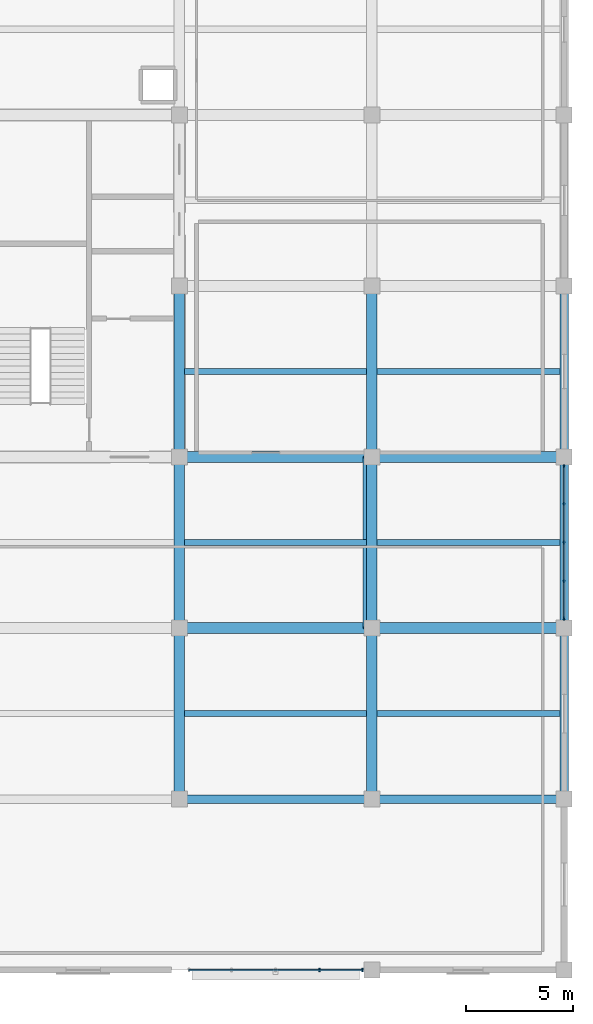
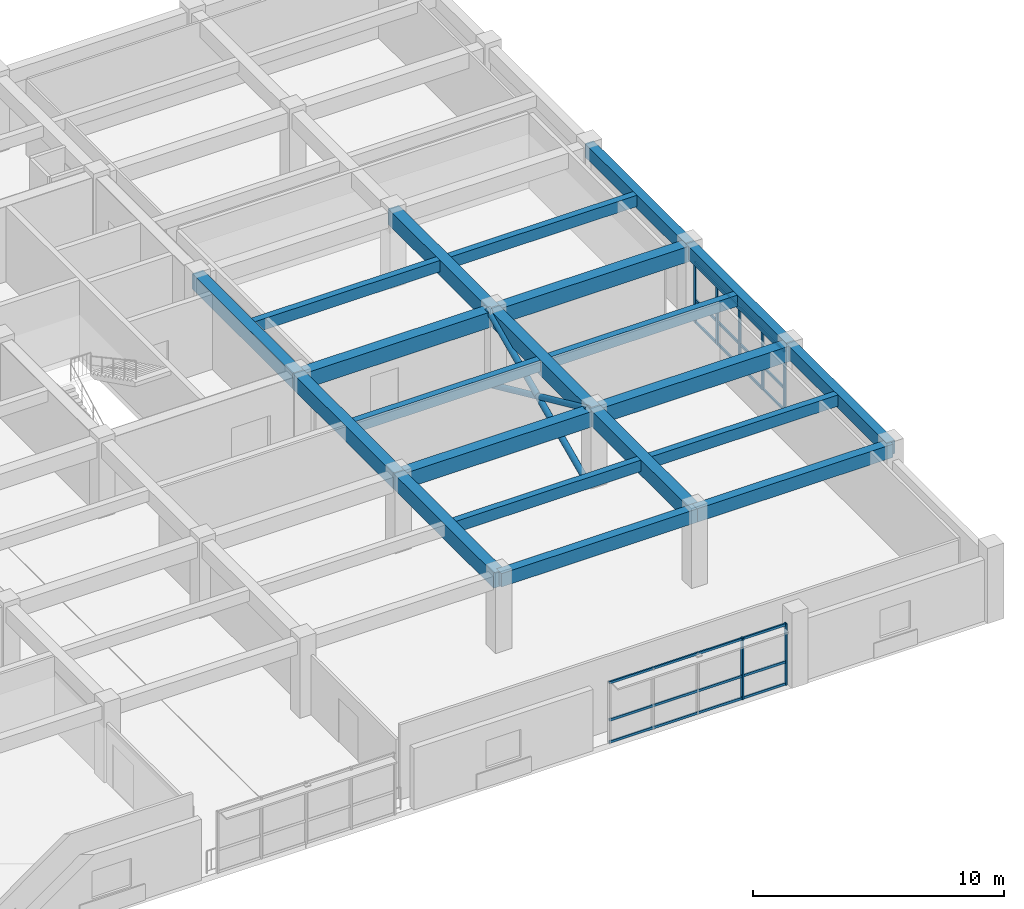
# One storey, part 6 of 15: 21 beams, 15 members, 2 elements without a shape of their own.
"""IFC4 building model written with IfcOpenShell, lengths in metres."""

from ifc_helpers import new_model, si_unit, direction, frame, origin, origin_2d, place, context, subcontext, project, spatial, rectangle, hollow_circle, extrude, material, material_profile, profile_set, type_object, element, aggregate, save


model = new_model("IFC4")

# Units and contexts
model_context = context("Model", 3, precision=1e-05, world=origin(), true_north=direction((0.0, 1.0)))
body_context = subcontext(model_context, "Body", "Model", "MODEL_VIEW")
ifc_project = project(units=[si_unit("LENGTHUNIT", "METRE"), si_unit("AREAUNIT", "SQUARE_METRE"), si_unit("VOLUMEUNIT", "CUBIC_METRE"), si_unit("PLANEANGLEUNIT", "RADIAN"), si_unit("MASSUNIT", "GRAM", prefix="KILO")], contexts=[model_context])

# Site, building, storey
site_placement = place(None, origin())
site = spatial("IfcSite", under=ifc_project, at=site_placement, CompositionType="ELEMENT")
building_placement = place(site_placement, origin())
building = spatial("IfcBuilding", under=site, at=building_placement, Name="Zaverband Oceanarium and Marine Research Institute", CompositionType="ELEMENT")
storey_placement = place(building_placement, frame((0.0, 0.0, 53.10009765625)))
storey = spatial("IfcBuildingStorey", under=building, at=storey_placement, Name="L13", CompositionType="ELEMENT", Elevation=53.10009765625)

# Beams
ifc_material_1 = material(Name="Concrete C40/50", Category="concrete")
ifc_material_profile_1 = material_profile(ifc_material_1, rectangle(XDim=0.5, YDim=0.75, at=origin_2d()), Name="RC500x750")
ifc_profile_set_1 = profile_set([ifc_material_profile_1], Name="Concrete C40/50")
beam_type_1 = type_object("IfcBeamType", Name="BM-500x750", PredefinedType="BEAM", material=ifc_profile_set_1)
for number, where, z_axis, x_axis, name in (
    (1, (45.0, 80.0, 3.27490234375), (1.0, 0.0, 0.0), (0.0, 1.0, 0.0), "Primary floor girder BM-500x750"),
    (2, (54.0, 80.0, 3.27490234375), (1.0, 0.0, 0.0), (0.0, 1.0, 0.0), "Primary floor girder BM-500x750"),
    (3, (45.0, 88.0, 3.27490234375), (1.0, 0.0, 0.0), (0.0, 1.0, 0.0), "Primary floor girder BM-500x750"),
    (4, (54.0, 88.0, 3.27490234375), (1.0, 0.0, 0.0), (0.0, 1.0, 0.0), "Primary floor girder BM-500x750"),
):
    element("IfcBeam", number, at=place(storey_placement, frame(where, z_axis=z_axis, x_axis=x_axis)), inside=storey, type_object=beam_type_1, Name=name, PredefinedType="BEAM", context=body_context, shape_type="SweptSolid", body=[
        extrude(rectangle(XDim=0.5, YDim=0.75, at=origin_2d()), origin(), (0.0, 0.0, 1.0), 9.0),
    ])
for number, where, z_axis, x_axis, name in (
    (5, (45.0, 72.0, 3.27490234375), (0.0, 1.0, 0.0), (-1.0, 0.0, 0.0), "Primary floor girder BM-500x750"),
    (6, (45.0, 80.0, 3.27490234375), (0.0, 1.0, 0.0), (-1.0, 0.0, 0.0), "Primary floor girder BM-500x750"),
    (7, (45.0, 88.0, 3.27490234375), (0.0, 1.0, 0.0), (-1.0, 0.0, 0.0), "Primary floor girder BM-500x750"),
    (8, (54.0, 72.0, 3.27490234375), (0.0, 1.0, 0.0), (-1.0, 0.0, 0.0), "Primary floor girder BM-500x750"),
    (9, (54.0, 80.0, 3.27490234375), (0.0, 1.0, 0.0), (-1.0, 0.0, 0.0), "Primary floor girder BM-500x750"),
    (10, (54.0, 88.0, 3.27490234375), (0.0, 1.0, 0.0), (-1.0, 0.0, 0.0), "Primary floor girder BM-500x750"),
):
    element("IfcBeam", number, at=place(storey_placement, frame(where, z_axis=z_axis, x_axis=x_axis)), inside=storey, type_object=beam_type_1, Name=name, PredefinedType="BEAM", context=body_context, shape_type="SweptSolid", body=[
        extrude(rectangle(XDim=0.5, YDim=0.75, at=origin_2d()), origin(), (0.0, 0.0, 1.0), 8.0),
    ])

# Members
ifc_material_2 = material(Name="Steel S355", Category="steel")
ifc_material_profile_2 = material_profile(ifc_material_2, hollow_circle(Radius=0.136474609375, WallThickness=0.010009765625, at=origin_2d()), Name="CHS273x10")
ifc_profile_set_2 = profile_set([ifc_material_profile_2], Name="Steel S355")
member_type_1 = type_object("IfcMemberType", Name="BR-01", PredefinedType="BRACE", material=ifc_profile_set_2)
for number, where, z_axis, x_axis, name in (
    (11, (53.719970703125, 80.0, 0.0), (0.0, 0.909785572369, 0.415078561612), (-1.0, 0.0, 0.0), "Diagonal lateral brace BR-01"),
    (12, (53.719970703125, 88.0, 0.0), (0.0, -0.909785572369, 0.415078561612), (1.0, 0.0, 0.0), "Diagonal lateral brace BR-01"),
):
    element("IfcMember", number, at=place(storey_placement, frame(where, z_axis=z_axis, x_axis=x_axis)), inside=storey, type_object=member_type_1, Name=name, PredefinedType="BRACE", context=body_context, shape_type="SweptSolid", body=[
        extrude(hollow_circle(Radius=0.136474609375, WallThickness=0.010009765625, at=origin_2d()), origin(), (0.0, 0.0, 1.0), 8.793212890625),
    ])

# Beams
ifc_material_profile_3 = material_profile(ifc_material_1, rectangle(XDim=0.300048828125, YDim=0.550048828125, at=origin_2d()), Name="RC300x550")
ifc_profile_set_3 = profile_set([ifc_material_profile_3], Name="Concrete C40/50")
beam_type_2 = type_object("IfcBeamType", Name="JST-300x550", PredefinedType="JOIST", material=ifc_profile_set_3)
for number, where, z_axis, x_axis, name in (
    (13, (45.25, 76.0, 3.375), (1.0, 0.0, 0.0), (0.0, 1.0, 0.0), "Secondary floor joist JST-300x550"),
    (14, (45.25, 84.0, 3.375), (1.0, 0.0, 0.0), (0.0, 1.0, 0.0), "Secondary floor joist JST-300x550"),
    (15, (45.25, 92.0, 3.375), (1.0, 0.0, 0.0), (0.0, 1.0, 0.0), "Secondary floor joist JST-300x550"),
):
    element("IfcBeam", number, at=place(storey_placement, frame(where, z_axis=z_axis, x_axis=x_axis)), inside=storey, type_object=beam_type_2, Name=name, PredefinedType="JOIST", context=body_context, shape_type="SweptSolid", body=[
        extrude(rectangle(XDim=0.300048828125, YDim=0.550048828125, at=origin_2d()), origin(), (0.0, 0.0, 1.0), 8.5),
    ])
for number, where, z_axis, x_axis, name in (
    (16, (54.25, 76.0, 3.375), (1.0, 0.0, 0.0), (0.0, 1.0, 0.0), "Secondary floor joist JST-300x550"),
    (17, (54.25, 84.0, 3.375), (1.0, 0.0, 0.0), (0.0, 1.0, 0.0), "Secondary floor joist JST-300x550"),
    (18, (54.25, 92.0, 3.375), (1.0, 0.0, 0.0), (0.0, 1.0, 0.0), "Secondary floor joist JST-300x550"),
):
    element("IfcBeam", number, at=place(storey_placement, frame(where, z_axis=z_axis, x_axis=x_axis)), inside=storey, type_object=beam_type_2, Name=name, PredefinedType="JOIST", context=body_context, shape_type="SweptSolid", body=[
        extrude(rectangle(XDim=0.300048828125, YDim=0.550048828125, at=origin_2d()), origin(), (0.0, 0.0, 1.0), 8.550048828125),
    ])

# Curtain wall, members
ifc_material_3 = material(Name="Thermally broken anodized aluminium and solar-control glass", Category="aluminium")
curtain_wall_type = type_object("IfcCurtainWallType", Name="CW-UNIT-1800", PredefinedType="NOTDEFINED", material=ifc_material_3)
curtain_wall_1_placement = place(storey_placement, origin())
curtain_wall_1 = element("IfcCurtainWall", 19, at=curtain_wall_1_placement, inside=storey, type_object=curtain_wall_type, Name="Unitised glazed curtain wall CW-141", PredefinedType="NOTDEFINED")
ifc_material_4 = material(Name="Thermally broken anodized aluminium", Category="aluminium")
ifc_material_profile_4 = material_profile(ifc_material_4, rectangle(XDim=0.070068359375, YDim=0.14990234375, at=origin_2d()), Name="AL-MUL-70x150")
ifc_profile_set_4 = profile_set([ifc_material_profile_4], Name="Thermally broken anodized aluminium")
member_type_2 = type_object("IfcMemberType", Name="MUL-70x150", PredefinedType="MULLION", material=ifc_profile_set_4)
member_1_placement = place(storey_placement, frame((51.56005859375, 64.0, 0.0), z_axis=(0.0, 0.0, 1.0), x_axis=(1.0, 0.0, 0.0)))
member_1 = element("IfcMember", 20, at=member_1_placement, type_object=member_type_2, Name="Curtain wall vertical mullion MUL-70x150", PredefinedType="MULLION", context=body_context, shape_type="SweptSolid", body=[
    extrude(rectangle(XDim=0.070068359375, YDim=0.14990234375, at=origin_2d()), origin(), (0.0, 0.0, 1.0), 2.97998046875),
])
member_2_placement = place(storey_placement, frame((53.56005859375, 64.0, 0.0), z_axis=(0.0, 0.0, 1.0), x_axis=(1.0, 0.0, 0.0)))
member_2 = element("IfcMember", 21, at=member_2_placement, type_object=member_type_2, Name="Curtain wall vertical mullion MUL-70x150", PredefinedType="MULLION", context=body_context, shape_type="SweptSolid", body=[
    extrude(rectangle(XDim=0.070068359375, YDim=0.14990234375, at=origin_2d()), origin(), (0.0, 0.0, 1.0), 2.97998046875),
])

curtain_wall_2_placement = place(storey_placement, origin())
curtain_wall_2 = element("IfcCurtainWall", 22, at=curtain_wall_2_placement, inside=storey, type_object=curtain_wall_type, Name="Unitised glazed curtain wall CW-147", PredefinedType="NOTDEFINED")
member_3_placement = place(storey_placement, frame((63.0, 80.43994140625, 0.0), z_axis=(0.0, 0.0, 1.0), x_axis=(1.0, 0.0, 0.0)))
member_3 = element("IfcMember", 23, at=member_3_placement, type_object=member_type_2, Name="Curtain wall vertical mullion MUL-70x150", PredefinedType="MULLION", context=body_context, shape_type="SweptSolid", body=[
    extrude(rectangle(XDim=0.070068359375, YDim=0.14990234375, at=origin_2d()), origin(), (0.0, 0.0, 1.0), 2.97998046875),
])
member_4_placement = place(storey_placement, frame((63.0, 82.18994140625, 0.0), z_axis=(0.0, 0.0, 1.0), x_axis=(1.0, 0.0, 0.0)))
member_4 = element("IfcMember", 24, at=member_4_placement, type_object=member_type_2, Name="Curtain wall vertical mullion MUL-70x150", PredefinedType="MULLION", context=body_context, shape_type="SweptSolid", body=[
    extrude(rectangle(XDim=0.070068359375, YDim=0.14990234375, at=origin_2d()), origin(), (0.0, 0.0, 1.0), 2.97998046875),
])
member_5_placement = place(storey_placement, frame((63.0, 84.0, 0.0), z_axis=(0.0, 0.0, 1.0), x_axis=(1.0, 0.0, 0.0)))
member_5 = element("IfcMember", 25, at=member_5_placement, type_object=member_type_2, Name="Curtain wall vertical mullion MUL-70x150", PredefinedType="MULLION", context=body_context, shape_type="SweptSolid", body=[
    extrude(rectangle(XDim=0.070068359375, YDim=0.14990234375, at=origin_2d()), origin(), (0.0, 0.0, 1.0), 2.97998046875),
])
member_6_placement = place(storey_placement, frame((63.0, 85.81005859375, 0.0), z_axis=(0.0, 0.0, 1.0), x_axis=(1.0, 0.0, 0.0)))
member_6 = element("IfcMember", 26, at=member_6_placement, type_object=member_type_2, Name="Curtain wall vertical mullion MUL-70x150", PredefinedType="MULLION", context=body_context, shape_type="SweptSolid", body=[
    extrude(rectangle(XDim=0.070068359375, YDim=0.14990234375, at=origin_2d()), origin(), (0.0, 0.0, 1.0), 2.97998046875),
])
member_7_placement = place(storey_placement, frame((63.0, 87.56005859375, 0.0), z_axis=(0.0, 0.0, 1.0), x_axis=(1.0, 0.0, 0.0)))
member_7 = element("IfcMember", 27, at=member_7_placement, type_object=member_type_2, Name="Curtain wall vertical mullion MUL-70x150", PredefinedType="MULLION", context=body_context, shape_type="SweptSolid", body=[
    extrude(rectangle(XDim=0.070068359375, YDim=0.14990234375, at=origin_2d()), origin(), (0.0, 0.0, 1.0), 2.97998046875),
])

# Beams
ifc_material_profile_5 = material_profile(ifc_material_1, rectangle(XDim=0.39990234375, YDim=0.64990234375, at=origin_2d()), Name="RC400x650")
ifc_profile_set_5 = profile_set([ifc_material_profile_5], Name="Concrete C40/50")
beam_type_3 = type_object("IfcBeamType", Name="SPN-400x650", PredefinedType="SPANDREL", material=ifc_profile_set_5)
for number, where, z_axis, x_axis, name in (
    (28, (45.0, 72.0, 3.324951171875), (1.0, 0.0, 0.0), (0.0, 1.0, 0.0), "Perimeter spandrel beam SPN-400x650"),
    (29, (54.0, 72.0, 3.324951171875), (1.0, 0.0, 0.0), (0.0, 1.0, 0.0), "Perimeter spandrel beam SPN-400x650"),
):
    element("IfcBeam", number, at=place(storey_placement, frame(where, z_axis=z_axis, x_axis=x_axis)), inside=storey, type_object=beam_type_3, Name=name, PredefinedType="SPANDREL", context=body_context, shape_type="SweptSolid", body=[
        extrude(rectangle(XDim=0.39990234375, YDim=0.64990234375, at=origin_2d()), origin(), (0.0, 0.0, 1.0), 9.0),
    ])
for number, where, z_axis, x_axis, name in (
    (30, (63.0, 72.0, 3.324951171875), (0.0, 1.0, 0.0), (-1.0, 0.0, 0.0), "Perimeter spandrel beam SPN-400x650"),
    (31, (63.0, 80.0, 3.324951171875), (0.0, 1.0, 0.0), (-1.0, 0.0, 0.0), "Perimeter spandrel beam SPN-400x650"),
    (32, (63.0, 88.0, 3.324951171875), (0.0, 1.0, 0.0), (-1.0, 0.0, 0.0), "Perimeter spandrel beam SPN-400x650"),
):
    element("IfcBeam", number, at=place(storey_placement, frame(where, z_axis=z_axis, x_axis=x_axis)), inside=storey, type_object=beam_type_3, Name=name, PredefinedType="SPANDREL", context=body_context, shape_type="SweptSolid", body=[
        extrude(rectangle(XDim=0.39990234375, YDim=0.64990234375, at=origin_2d()), origin(), (0.0, 0.0, 1.0), 8.0),
    ])

# Member
ifc_material_profile_6 = material_profile(ifc_material_4, rectangle(XDim=0.070068359375, YDim=0.114990234375, at=origin_2d()), Name="AL-TRN-70x115")
ifc_profile_set_6 = profile_set([ifc_material_profile_6], Name="Thermally broken anodized aluminium")
member_type_3 = type_object("IfcMemberType", Name="TRN-70x115", PredefinedType="USERDEFINED", material=ifc_profile_set_6)
member_8_placement = place(storey_placement, frame((45.43994140625, 64.0, 0.0498046875), z_axis=(1.0, 0.0, 0.0), x_axis=(0.0, 1.0, 0.0)))
member_8 = element("IfcMember", 33, at=member_8_placement, type_object=member_type_3, Name="Curtain wall horizontal transom TRN-70x115", ObjectType="TRANSOM", PredefinedType="USERDEFINED", context=body_context, shape_type="SweptSolid", body=[
    extrude(rectangle(XDim=0.070068359375, YDim=0.114990234375, at=origin_2d()), origin(), (0.0, 0.0, 1.0), 8.1201171875),
])

member_9_placement = place(storey_placement, frame((45.43994140625, 64.0, 1.122802734375), z_axis=(1.0, 0.0, 0.0), x_axis=(0.0, 1.0, 0.0)))
member_9 = element("IfcMember", 34, at=member_9_placement, type_object=member_type_3, Name="Curtain wall horizontal transom TRN-70x115", ObjectType="TRANSOM", PredefinedType="USERDEFINED", context=body_context, shape_type="SweptSolid", body=[
    extrude(rectangle(XDim=0.070068359375, YDim=0.114990234375, at=origin_2d()), origin(), (0.0, 0.0, 1.0), 8.1201171875),
])

member_10_placement = place(storey_placement, frame((45.43994140625, 64.0, 2.929931640625), z_axis=(1.0, 0.0, 0.0), x_axis=(0.0, 1.0, 0.0)))
member_10 = element("IfcMember", 35, at=member_10_placement, type_object=member_type_3, Name="Curtain wall horizontal transom TRN-70x115", ObjectType="TRANSOM", PredefinedType="USERDEFINED", context=body_context, shape_type="SweptSolid", body=[
    extrude(rectangle(XDim=0.070068359375, YDim=0.114990234375, at=origin_2d()), origin(), (0.0, 0.0, 1.0), 8.1201171875),
])

aggregate(curtain_wall_1, [member_1, member_2, member_8, member_9, member_10])

member_11_placement = place(storey_placement, frame((63.0, 80.43994140625, 0.0498046875), z_axis=(0.0, 1.0, 0.0), x_axis=(-1.0, 0.0, 0.0)))
member_11 = element("IfcMember", 36, at=member_11_placement, type_object=member_type_3, Name="Curtain wall horizontal transom TRN-70x115", ObjectType="TRANSOM", PredefinedType="USERDEFINED", context=body_context, shape_type="SweptSolid", body=[
    extrude(rectangle(XDim=0.070068359375, YDim=0.114990234375, at=origin_2d()), origin(), (0.0, 0.0, 1.0), 7.1201171875),
])

member_12_placement = place(storey_placement, frame((63.0, 80.43994140625, 1.122802734375), z_axis=(0.0, 1.0, 0.0), x_axis=(-1.0, 0.0, 0.0)))
member_12 = element("IfcMember", 37, at=member_12_placement, type_object=member_type_3, Name="Curtain wall horizontal transom TRN-70x115", ObjectType="TRANSOM", PredefinedType="USERDEFINED", context=body_context, shape_type="SweptSolid", body=[
    extrude(rectangle(XDim=0.070068359375, YDim=0.114990234375, at=origin_2d()), origin(), (0.0, 0.0, 1.0), 7.1201171875),
])

member_13_placement = place(storey_placement, frame((63.0, 80.43994140625, 2.929931640625), z_axis=(0.0, 1.0, 0.0), x_axis=(-1.0, 0.0, 0.0)))
member_13 = element("IfcMember", 38, at=member_13_placement, type_object=member_type_3, Name="Curtain wall horizontal transom TRN-70x115", ObjectType="TRANSOM", PredefinedType="USERDEFINED", context=body_context, shape_type="SweptSolid", body=[
    extrude(rectangle(XDim=0.070068359375, YDim=0.114990234375, at=origin_2d()), origin(), (0.0, 0.0, 1.0), 7.1201171875),
])

aggregate(curtain_wall_2, [member_3, member_4, member_5, member_6, member_7, member_11, member_12, member_13])

save(model, "model.ifc")
